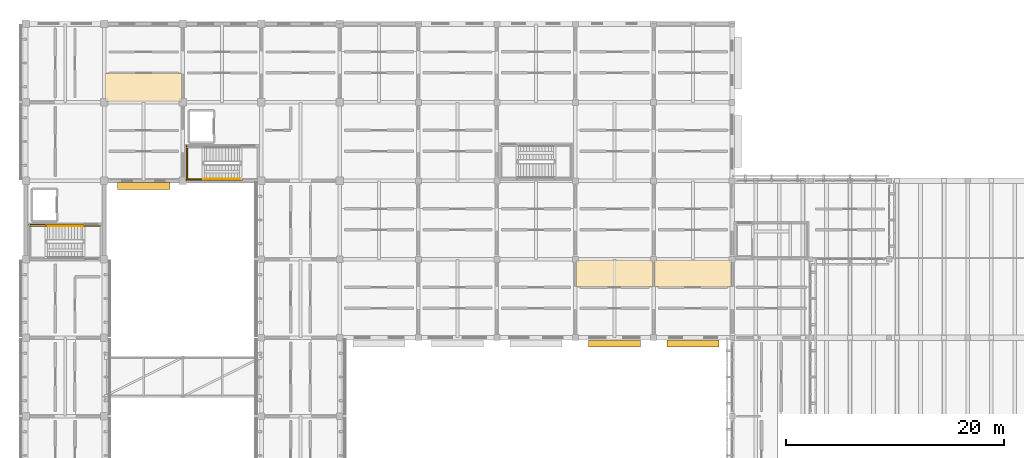
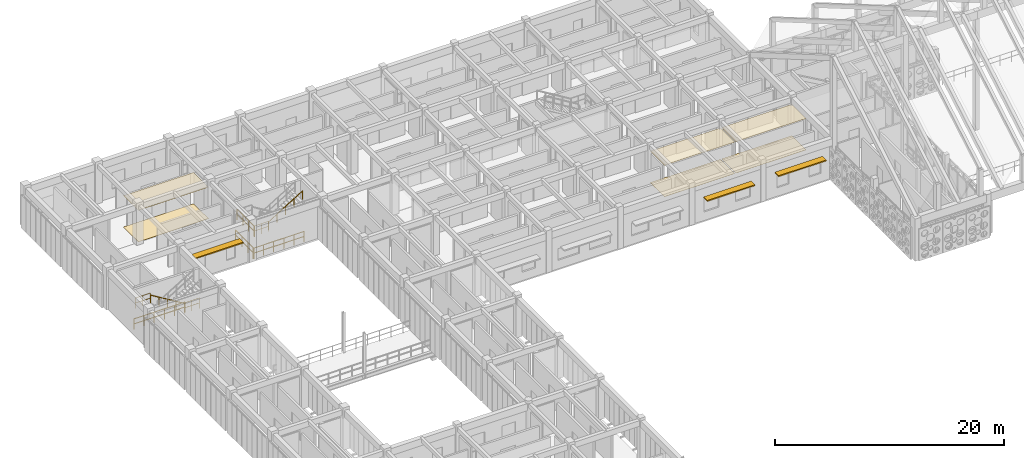
# One storey, part 150 of 171: 9 railings, 6 coverings, 3 shading devices.
"""IFC4 building model written with IfcOpenShell, lengths in metres."""

import ifcopenshell
import ifcopenshell.guid

model = None  # the IFC model being written
_history = None  # IfcOwnerHistory: only IFC2X3 demands one
_inside = {}  # id of a spatial element -> (the spatial element, [elements in it])
_under = {}  # id of a project, library or spatial element -> (it, [spatial elements below it])
_declared = {}  # id of a project -> (the project, [libraries it declares])
_typed = {}  # id of a type object -> (the type object, [elements of that type])
_made_of = {}  # id of a material, layer set ... -> (it, [elements and type objects made of it])


def new_model(schema):
    """Start an empty IFC model of exactly this schema.

    Asked for "IFC4X3", IfcOpenShell would pick the latest addendum, in which some entities
    have other attributes; the version numbers below select the first issue.
    IFC2X3 requires an IfcOwnerHistory on every rooted entity: one is made here for all.
    """
    global model, _history
    if schema == "IFC4X3":
        model = ifcopenshell.file(schema_version=(4, 3, 0, 0))
    else:
        model = ifcopenshell.file(schema=schema)
    _inside.clear()
    _under.clear()
    _declared.clear()
    _typed.clear()
    _made_of.clear()
    _history = None
    if model.schema == "IFC2X3":
        org = make("IfcOrganization", Name="unknown")
        user = make(
            "IfcPersonAndOrganization",
            ThePerson=make("IfcPerson", FamilyName="unknown"),
            TheOrganization=org,
        )
        app = make(
            "IfcApplication",
            ApplicationDeveloper=org,
            Version="unknown",
            ApplicationFullName="unknown",
            ApplicationIdentifier="unknown",
        )
        _history = make(
            "IfcOwnerHistory",
            OwningUser=user,
            OwningApplication=app,
            ChangeAction="ADDED",
            CreationDate=0,
        )
    return model


def make(cls, **values):
    """One entity of the class cls with the attributes given. An attribute that is None is left unset."""
    return model.create_entity(
        cls, **{name: value for name, value in values.items() if value is not None}
    )


def rooted(cls, **values):
    """An entity with a GlobalId (a new one), such as an element, a storey or a relation."""
    return make(cls, GlobalId=ifcopenshell.guid.new(), OwnerHistory=_history, **values)


def si_unit(unit_type, name, prefix=None):
    """IfcSIUnit, for example si_unit("LENGTHUNIT", "METRE", prefix="MILLI")."""
    return make("IfcSIUnit", UnitType=unit_type, Prefix=prefix, Name=name)


def assignment(units):
    """IfcUnitAssignment: the units of a project."""
    return None if units is None else make("IfcUnitAssignment", Units=units)


def point(xyz):
    """IfcCartesianPoint."""
    return None if xyz is None else make("IfcCartesianPoint", Coordinates=xyz)


def direction(xyz):
    """IfcDirection."""
    return None if xyz is None else make("IfcDirection", DirectionRatios=xyz)


def frame(location, z_axis=None, x_axis=None):
    """IfcAxis2Placement3D, a coordinate frame: its origin and axes. An axis left out is left unset."""
    return make(
        "IfcAxis2Placement3D",
        Location=point(location),
        Axis=direction(z_axis),
        RefDirection=direction(x_axis),
    )


def frame_2d(location, x_axis=None):
    """IfcAxis2Placement2D, a coordinate frame in the plane: its origin and x axis."""
    return make(
        "IfcAxis2Placement2D", Location=point(location), RefDirection=direction(x_axis)
    )


def origin():
    """The frame at (0, 0, 0) with its axes left unset."""
    return frame((0.0, 0.0, 0.0))


def origin_2d():
    """The frame at (0, 0) in the plane with its x axis left unset."""
    return frame_2d((0.0, 0.0))


def place(relative_to, where):
    """IfcLocalPlacement: puts the frame where relative to a parent placement (None: the world)."""
    return make(
        "IfcLocalPlacement", PlacementRelTo=relative_to, RelativePlacement=where
    )


def context(
    kind, dimensions, precision=None, world=None, true_north=None, identifier=None
):
    """IfcGeometricRepresentationContext, for example the 3D "Model" context."""
    return make(
        "IfcGeometricRepresentationContext",
        ContextIdentifier=identifier,
        ContextType=kind,
        CoordinateSpaceDimension=dimensions,
        Precision=precision,
        WorldCoordinateSystem=world,
        TrueNorth=true_north,
    )


def subcontext(parent, identifier, kind, view, scale=None):
    """IfcGeometricRepresentationSubContext, for example "Body" below "Model"."""
    return make(
        "IfcGeometricRepresentationSubContext",
        ContextIdentifier=identifier,
        ContextType=kind,
        ParentContext=parent,
        TargetScale=scale,
        TargetView=view,
    )


def project(units=None, contexts=None):
    """IfcProject with its units and contexts."""
    return rooted(
        "IfcProject",
        Name="project",
        RepresentationContexts=contexts,
        UnitsInContext=assignment(units),
    )


def spatial(cls, under=None, at=None, **own):
    """A site, building, storey or space (cls), placed at a placement, below another one or the project."""
    s = rooted(cls, ObjectPlacement=at, **own)
    if under is not None:
        _under.setdefault(under.id(), (under, []))[1].append(s)
    return s


def polyline(points):
    """IfcPolyline through the points."""
    return make("IfcPolyline", Points=[point(p) for p in points])


def profile(cls, at=None, kind="AREA", **sizes):
    """A parametric profile (cls). Its sizes go by their IFC names, for example OverallWidth=200.0."""
    return make(cls, ProfileType=kind, Position=at, **sizes)


def rectangle(**sizes):
    """IfcRectangleProfileDef."""
    return profile("IfcRectangleProfileDef", **sizes)


def circle(**sizes):
    """IfcCircleProfileDef."""
    return profile("IfcCircleProfileDef", **sizes)


def outline(outer, holes=None, kind="AREA"):
    """IfcArbitraryClosedProfileDef: a profile drawn as a closed curve; with holes, ...WithVoids."""
    if holes is None:
        return make("IfcArbitraryClosedProfileDef", ProfileType=kind, OuterCurve=outer)
    return make(
        "IfcArbitraryProfileDefWithVoids",
        ProfileType=kind,
        OuterCurve=outer,
        InnerCurves=holes,
    )


def extrude(swept, where, along, depth):
    """IfcExtrudedAreaSolid: the profile swept, set in the frame where, extruded along a direction by depth."""
    return make(
        "IfcExtrudedAreaSolid",
        SweptArea=swept,
        Position=where,
        ExtrudedDirection=direction(along),
        Depth=depth,
    )


def shape(context_of_items, identifier, shape_type, items):
    """IfcShapeRepresentation: the items that make up one representation, for example the "Body"."""
    return make(
        "IfcShapeRepresentation",
        ContextOfItems=context_of_items,
        RepresentationIdentifier=identifier,
        RepresentationType=shape_type,
        Items=items,
    )


def material(Name=None, Category=None):
    """IfcMaterial."""
    return make("IfcMaterial", Name=Name, Category=Category)


def layer(
    of_material, thickness, ventilated=None, Name=None, Category=None, Priority=None
):
    """IfcMaterialLayer: one layer of a wall or slab, of a material (None: an air gap)."""
    return make(
        "IfcMaterialLayer",
        Material=of_material,
        LayerThickness=thickness,
        IsVentilated=ventilated,
        Name=Name,
        Category=Category,
        Priority=Priority,
    )


def layer_set(layers, Name=None):
    """IfcMaterialLayerSet."""
    return make("IfcMaterialLayerSet", MaterialLayers=layers, LayerSetName=Name)


def made_of(thing, what):
    """Note that an element or type object is made of a material, layer set ...; save() writes the relation."""
    if what is not None:
        _made_of.setdefault(what.id(), (what, []))[1].append(thing)
    return thing


def type_object(cls, material=None, **own):
    """A type object (cls), such as IfcWallType, which elements share."""
    return made_of(rooted(cls, **own), material)


def element(
    cls,
    number,
    at=None,
    inside=None,
    cuts=None,
    type_object=None,
    material=None,
    context=None,
    identifier="Body",
    shape_type=None,
    held_by="IfcProductDefinitionShape",
    body=None,
    shapes=None,
    **own,
):
    """One element of the class cls, such as IfcWall. Its Tag is "e" and its number.

    at: its placement. inside: the storey or other place that contains it. cuts: it is an
    opening in that element (IfcRelVoidsElement). A single representation is given by context,
    identifier, shape_type and body (its items); several are given by shapes. held_by: the class
    of the entity that holds the representations. save() writes the other relations.
    """
    e = rooted(cls, Tag="e%d" % number, ObjectPlacement=at, **own)
    if body is not None:
        shapes = [shape(context, identifier, shape_type, body)]
    if shapes is not None:
        e.Representation = make(held_by, Representations=shapes)
    if inside is not None:
        _inside.setdefault(inside.id(), (inside, []))[1].append(e)
    if cuts is not None:
        rooted(
            "IfcRelVoidsElement", RelatingBuildingElement=cuts, RelatedOpeningElement=e
        )
    if type_object is not None:
        _typed.setdefault(type_object.id(), (type_object, []))[1].append(e)
    return made_of(e, material)


def aggregate(whole, parts):
    """IfcRelAggregates: a whole, such as a stair, and the parts it consists of."""
    return rooted("IfcRelAggregates", RelatingObject=whole, RelatedObjects=parts)


def save(model, path):
    """Write the relations noted so far, then the file.

    IfcRelAggregates (storeys below a building ...), IfcRelContainedInSpatialStructure (elements
    in a storey), IfcRelDefinesByType, IfcRelAssociatesMaterial and IfcRelDeclares: one each for
    every whole, place, type object, material and project.
    """
    for whole, parts in _under.values():
        aggregate(whole, parts)
    for where, things in _inside.values():
        rooted(
            "IfcRelContainedInSpatialStructure",
            RelatedElements=things,
            RelatingStructure=where,
        )
    for kind, things in _typed.values():
        rooted("IfcRelDefinesByType", RelatedObjects=things, RelatingType=kind)
    for what, things in _made_of.values():
        rooted("IfcRelAssociatesMaterial", RelatedObjects=things, RelatingMaterial=what)
    for by, libraries in _declared.values():
        rooted("IfcRelDeclares", RelatingContext=by, RelatedDefinitions=libraries)
    model.write(path)


model = new_model("IFC4")

# Units and contexts
model_context = context("Model", 3, precision=1e-05, world=origin(), true_north=direction((0.0, 1.0)))
body_context = subcontext(model_context, "Body", "Model", "MODEL_VIEW")
ifc_project = project(units=[si_unit("LENGTHUNIT", "METRE"), si_unit("AREAUNIT", "SQUARE_METRE"), si_unit("VOLUMEUNIT", "CUBIC_METRE"), si_unit("PLANEANGLEUNIT", "RADIAN"), si_unit("MASSUNIT", "GRAM", prefix="KILO")], contexts=[model_context])

# Site, building, storey
site_placement = place(None, origin())
site = spatial("IfcSite", under=ifc_project, at=site_placement, CompositionType="ELEMENT")
building_placement = place(site_placement, origin())
building = spatial("IfcBuilding", under=site, at=building_placement, Name="Aldebral Square Health Centre", CompositionType="ELEMENT")
storey_placement = place(building_placement, frame((0.0, 0.0, 4.5)))
storey = spatial("IfcBuildingStorey", under=building, at=storey_placement, Name="L01", CompositionType="ELEMENT", Elevation=4.5)

# Coverings
ifc_material_1 = material(Name="Hygienic acoustic mineral ceiling tile")
ifc_layer_1 = layer(ifc_material_1, 0.02001953125, Name="Hygienic acoustic mineral ceiling tile")
ifc_layer_set_1 = layer_set([ifc_layer_1], Name="Hygienic acoustic mineral ceiling tile")
covering_type_1 = type_object("IfcCoveringType", Name="COV-CLG-AC", PredefinedType="CEILING", material=ifc_layer_set_1)
covering_1_placement = place(storey_placement, frame((0.0, 0.0, 3.340087890625)))
element("IfcCovering", 1, at=covering_1_placement, inside=storey, type_object=covering_type_1, Name="L01 Imaging Equipment Plant Room 8.13N acoustic ceiling", PredefinedType="CEILING", context=body_context, shape_type="SweptSolid", body=[
    extrude(outline(polyline([(50.4599609375, 91.0400390625), (57.5400390625, 91.0400390625), (57.5400390625, 93.5400390625), (50.4599609375, 93.5400390625), (50.4599609375, 91.0400390625)])), origin(), (0.0, 0.0, 1.0), 0.02001953125),
])
covering_2_placement = place(storey_placement, frame((0.0, 0.0, 3.340087890625)))
element("IfcCovering", 2, at=covering_2_placement, inside=storey, type_object=covering_type_1, Name="L01 Imaging Equipment Plant Room 9.13N acoustic ceiling", PredefinedType="CEILING", context=body_context, shape_type="SweptSolid", body=[
    extrude(outline(polyline([(57.659912109375, 91.0400390625), (64.739990234375, 91.0400390625), (64.739990234375, 93.5400390625), (57.659912109375, 93.5400390625), (57.659912109375, 91.0400390625)])), origin(), (0.0, 0.0, 1.0), 0.02001953125),
])
covering_3_placement = place(storey_placement, frame((0.0, 0.0, 3.340087890625)))
element("IfcCovering", 3, at=covering_3_placement, inside=storey, type_object=covering_type_1, Name="L01 General Consulting Room 2.16S acoustic ceiling", PredefinedType="CEILING", context=body_context, shape_type="SweptSolid", body=[
    extrude(outline(polyline([(7.260009765625, 108.06005859375), (14.340087890625, 108.06005859375), (14.340087890625, 110.679931640625), (7.260009765625, 110.679931640625), (7.260009765625, 108.06005859375)])), origin(), (0.0, 0.0, 1.0), 0.02001953125),
])
ifc_material_2 = material(Name="Antimicrobial clinical vinyl flooring")
ifc_layer_2 = layer(ifc_material_2, 0.014892578125, Name="Antimicrobial clinical vinyl flooring")
ifc_layer_set_2 = layer_set([ifc_layer_2], Name="Antimicrobial clinical vinyl flooring")
covering_type_2 = type_object("IfcCoveringType", Name="COV-FLR-VN", PredefinedType="FLOORING", material=ifc_layer_set_2)
covering_4_placement = place(storey_placement, origin())
element("IfcCovering", 4, at=covering_4_placement, inside=storey, type_object=covering_type_2, Name="L01 Imaging Equipment Plant Room 8.13N clinical flooring", PredefinedType="FLOORING", context=body_context, shape_type="SweptSolid", body=[
    extrude(outline(polyline([(50.4599609375, 91.0400390625), (57.5400390625, 91.0400390625), (57.5400390625, 93.5400390625), (50.4599609375, 93.5400390625), (50.4599609375, 91.0400390625)])), origin(), (0.0, 0.0, 1.0), 0.014892578125),
])
covering_5_placement = place(storey_placement, origin())
element("IfcCovering", 5, at=covering_5_placement, inside=storey, type_object=covering_type_2, Name="L01 Imaging Equipment Plant Room 9.13N clinical flooring", PredefinedType="FLOORING", context=body_context, shape_type="SweptSolid", body=[
    extrude(outline(polyline([(57.659912109375, 91.0400390625), (64.739990234375, 91.0400390625), (64.739990234375, 93.5400390625), (57.659912109375, 93.5400390625), (57.659912109375, 91.0400390625)])), origin(), (0.0, 0.0, 1.0), 0.014892578125),
])
covering_6_placement = place(storey_placement, origin())
element("IfcCovering", 6, at=covering_6_placement, inside=storey, type_object=covering_type_2, Name="L01 General Consulting Room 2.16S clinical flooring", PredefinedType="FLOORING", context=body_context, shape_type="SweptSolid", body=[
    extrude(outline(polyline([(7.260009765625, 108.06005859375), (14.340087890625, 108.06005859375), (14.340087890625, 110.679931640625), (7.260009765625, 110.679931640625), (7.260009765625, 108.06005859375)])), origin(), (0.0, 0.0, 1.0), 0.014892578125),
])

# Railings
ifc_material_3 = material(Name="Painted steel S355JR stair guard", Category="steel")
railing_type_1 = type_object("IfcRailingType", Name="RL-ST-GRD", PredefinedType="GUARDRAIL", material=ifc_material_3)
railing_1_placement = place(storey_placement, frame((1.89990234375, 96.669921875, 2.25)))
element("IfcRailing", 7, at=railing_1_placement, inside=storey, type_object=railing_type_1, Name="L01 ST-01 stair guard 3", PredefinedType="GUARDRAIL", context=body_context, shape_type="SweptSolid", body=[
    extrude(circle(Radius=0.02392578125, at=origin_2d()), frame((0.0, 0.0, 1.09619140625), z_axis=(-1.0, 0.0, 0.0), x_axis=(0.0, -1.0, 0.0)), (0.0, 0.0, 1.0), 1.52001953125),
    extrude(circle(Radius=0.02392578125, at=origin_2d()), frame((0.0, 0.0, 0.56005859375), z_axis=(-1.0, 0.0, 0.0), x_axis=(0.0, -1.0, 0.0)), (0.0, 0.0, 1.0), 1.52001953125),
    extrude(circle(Radius=0.02099609375, at=origin_2d()), origin(), (0.0, 0.0, 1.0), 1.072021484375),
    extrude(circle(Radius=0.02099609375, at=origin_2d()), frame((-0.760009765625, 0.0, 0.0)), (0.0, 0.0, 1.0), 1.072021484375),
    extrude(circle(Radius=0.02099609375, at=origin_2d()), frame((-1.52001953125, 0.0, 0.0)), (0.0, 0.0, 1.0), 1.072021484375),
])
railing_2_placement = place(storey_placement, frame((6.820068359375, 96.669921875, 0.0)))
element("IfcRailing", 8, at=railing_2_placement, inside=storey, type_object=railing_type_1, Name="L01 ST-01 stair guard 8", PredefinedType="GUARDRAIL", context=body_context, shape_type="SweptSolid", body=[
    extrude(circle(Radius=0.02392578125, at=origin_2d()), frame((0.0, 0.0, 1.09619140625), z_axis=(-1.0, 0.0, 0.0), x_axis=(0.0, -1.0, 0.0)), (0.0, 0.0, 1.0), 1.5),
    extrude(circle(Radius=0.02392578125, at=origin_2d()), frame((0.0, 0.0, 0.56005859375), z_axis=(-1.0, 0.0, 0.0), x_axis=(0.0, -1.0, 0.0)), (0.0, 0.0, 1.0), 1.5),
    extrude(circle(Radius=0.02099609375, at=origin_2d()), origin(), (0.0, 0.0, 1.0), 1.072021484375),
    extrude(circle(Radius=0.02099609375, at=origin_2d()), frame((-0.75, 0.0, 0.0)), (0.0, 0.0, 1.0), 1.072021484375),
    extrude(circle(Radius=0.02099609375, at=origin_2d()), frame((-1.5, 0.0, 0.0)), (0.0, 0.0, 1.0), 1.072021484375),
])
railing_3_placement = place(storey_placement, frame((5.419921875, 96.77001953125, 0.0)))
element("IfcRailing", 9, at=railing_3_placement, inside=storey, type_object=railing_type_1, Name="L01 ST-01 stair guard 10", PredefinedType="GUARDRAIL", context=body_context, shape_type="SweptSolid", body=[
    extrude(circle(Radius=0.02392578125, at=origin_2d()), frame((0.0, 0.0, 1.09619140625), z_axis=(-1.0, 0.0, 0.0), x_axis=(0.0, -1.0, 0.0)), (0.0, 0.0, 1.0), 5.139892578125),
    extrude(circle(Radius=0.02392578125, at=origin_2d()), frame((0.0, 0.0, 0.56005859375), z_axis=(-1.0, 0.0, 0.0), x_axis=(0.0, -1.0, 0.0)), (0.0, 0.0, 1.0), 5.139892578125),
    extrude(circle(Radius=0.02099609375, at=origin_2d()), origin(), (0.0, 0.0, 1.0), 1.072021484375),
    extrude(circle(Radius=0.02099609375, at=origin_2d()), frame((-1.028076171875, 0.0, 0.0)), (0.0, 0.0, 1.0), 1.072021484375),
    extrude(circle(Radius=0.02099609375, at=origin_2d()), frame((-2.055908203125, 0.0, 0.0)), (0.0, 0.0, 1.0), 1.072021484375),
    extrude(circle(Radius=0.02099609375, at=origin_2d()), frame((-3.083984375, 0.0, 0.0)), (0.0, 0.0, 1.0), 1.072021484375),
    extrude(circle(Radius=0.02099609375, at=origin_2d()), frame((-4.11181640625, 0.0, 0.0)), (0.0, 0.0, 1.0), 1.072021484375),
    extrude(circle(Radius=0.02099609375, at=origin_2d()), frame((-5.139892578125, 0.0, 0.0)), (0.0, 0.0, 1.0), 1.072021484375),
])
railing_4_placement = place(storey_placement, frame((16.300048828125, 100.969970703125, 2.25)))
element("IfcRailing", 10, at=railing_4_placement, inside=storey, type_object=railing_type_1, Name="L01 ST-02 stair guard 4", PredefinedType="GUARDRAIL", context=body_context, shape_type="SweptSolid", body=[
    extrude(circle(Radius=0.02392578125, at=origin_2d()), frame((0.0, 0.0, 1.09619140625), z_axis=(-1.0, 0.0, 0.0), x_axis=(0.0, -1.0, 0.0)), (0.0, 0.0, 1.0), 1.52001953125),
    extrude(circle(Radius=0.02392578125, at=origin_2d()), frame((0.0, 0.0, 0.56005859375), z_axis=(-1.0, 0.0, 0.0), x_axis=(0.0, -1.0, 0.0)), (0.0, 0.0, 1.0), 1.52001953125),
    extrude(circle(Radius=0.02099609375, at=origin_2d()), origin(), (0.0, 0.0, 1.0), 1.072021484375),
    extrude(circle(Radius=0.02099609375, at=origin_2d()), frame((-0.760009765625, 0.0, 0.0)), (0.0, 0.0, 1.0), 1.072021484375),
    extrude(circle(Radius=0.02099609375, at=origin_2d()), frame((-1.52001953125, 0.0, 0.0)), (0.0, 0.0, 1.0), 1.072021484375),
])
railing_5_placement = place(storey_placement, frame((14.830078125, 103.919921875, 2.25)))
element("IfcRailing", 11, at=railing_5_placement, inside=storey, type_object=railing_type_1, Name="L01 ST-02 stair guard 5", PredefinedType="GUARDRAIL", context=body_context, shape_type="SweptSolid", body=[
    extrude(circle(Radius=0.02392578125, at=origin_2d()), frame((0.0, 0.0, 1.09619140625), z_axis=(0.0, -1.0, 0.0), x_axis=(1.0, 0.0, 0.0)), (0.0, 0.0, 1.0), 3.0),
    extrude(circle(Radius=0.02392578125, at=origin_2d()), frame((0.0, 0.0, 0.56005859375), z_axis=(0.0, -1.0, 0.0), x_axis=(1.0, 0.0, 0.0)), (0.0, 0.0, 1.0), 3.0),
    extrude(circle(Radius=0.02099609375, at=origin_2d()), origin(), (0.0, 0.0, 1.0), 1.072021484375),
    extrude(circle(Radius=0.02099609375, at=origin_2d()), frame((0.0, -1.0, 0.0)), (0.0, 0.0, 1.0), 1.072021484375),
    extrude(circle(Radius=0.02099609375, at=origin_2d()), frame((0.0, -2.0, 0.0)), (0.0, 0.0, 1.0), 1.072021484375),
    extrude(circle(Radius=0.02099609375, at=origin_2d()), frame((0.0, -3.0, 0.0)), (0.0, 0.0, 1.0), 1.072021484375),
])
railing_6_placement = place(storey_placement, frame((19.820068359375, 100.8701171875, 0.0)))
element("IfcRailing", 12, at=railing_6_placement, inside=storey, type_object=railing_type_1, Name="L01 ST-02 stair guard 11", PredefinedType="GUARDRAIL", context=body_context, shape_type="SweptSolid", body=[
    extrude(circle(Radius=0.02392578125, at=origin_2d()), frame((0.0, 0.0, 1.09619140625), z_axis=(-1.0, 0.0, 0.0), x_axis=(0.0, -1.0, 0.0)), (0.0, 0.0, 1.0), 5.14013671875),
    extrude(circle(Radius=0.02392578125, at=origin_2d()), frame((0.0, 0.0, 0.56005859375), z_axis=(-1.0, 0.0, 0.0), x_axis=(0.0, -1.0, 0.0)), (0.0, 0.0, 1.0), 5.14013671875),
    extrude(circle(Radius=0.02099609375, at=origin_2d()), origin(), (0.0, 0.0, 1.0), 1.072021484375),
    extrude(circle(Radius=0.02099609375, at=origin_2d()), frame((-1.028076171875, 0.0, 0.0)), (0.0, 0.0, 1.0), 1.072021484375),
    extrude(circle(Radius=0.02099609375, at=origin_2d()), frame((-2.05615234375, 0.0, 0.0)), (0.0, 0.0, 1.0), 1.072021484375),
    extrude(circle(Radius=0.02099609375, at=origin_2d()), frame((-3.083984375, 0.0, 0.0)), (0.0, 0.0, 1.0), 1.072021484375),
    extrude(circle(Radius=0.02099609375, at=origin_2d()), frame((-4.112060546875, 0.0, 0.0)), (0.0, 0.0, 1.0), 1.072021484375),
    extrude(circle(Radius=0.02099609375, at=origin_2d()), frame((-5.14013671875, 0.0, 0.0)), (0.0, 0.0, 1.0), 1.072021484375),
])
railing_7_placement = place(storey_placement, frame((14.72998046875, 104.02001953125, 0.0)))
element("IfcRailing", 13, at=railing_7_placement, inside=storey, type_object=railing_type_1, Name="L01 ST-02 stair guard 12", PredefinedType="GUARDRAIL", context=body_context, shape_type="SweptSolid", body=[
    extrude(circle(Radius=0.02392578125, at=origin_2d()), frame((0.0, 0.0, 1.09619140625), z_axis=(0.0, -1.0, 0.0), x_axis=(1.0, 0.0, 0.0)), (0.0, 0.0, 1.0), 3.199951171875),
    extrude(circle(Radius=0.02392578125, at=origin_2d()), frame((0.0, 0.0, 0.56005859375), z_axis=(0.0, -1.0, 0.0), x_axis=(1.0, 0.0, 0.0)), (0.0, 0.0, 1.0), 3.199951171875),
    extrude(circle(Radius=0.02099609375, at=origin_2d()), origin(), (0.0, 0.0, 1.0), 1.072021484375),
    extrude(circle(Radius=0.02099609375, at=origin_2d()), frame((0.0, -1.066650390625, 0.0)), (0.0, 0.0, 1.0), 1.072021484375),
    extrude(circle(Radius=0.02099609375, at=origin_2d()), frame((0.0, -2.13330078125, 0.0)), (0.0, 0.0, 1.0), 1.072021484375),
    extrude(circle(Radius=0.02099609375, at=origin_2d()), frame((0.0, -3.199951171875, 0.0)), (0.0, 0.0, 1.0), 1.072021484375),
])
ifc_material_4 = material(Name="Brushed stainless steel handrail", Category="steel")
railing_type_2 = type_object("IfcRailingType", Name="RL-ST-HND", PredefinedType="HANDRAIL", material=ifc_material_4)
railing_8_placement = place(storey_placement, frame((5.320068359375, 96.669921875, 0.173095703125)))
element("IfcRailing", 14, at=railing_8_placement, inside=storey, type_object=railing_type_2, Name="L01 ST-01 stair handrail 1", PredefinedType="HANDRAIL", context=body_context, shape_type="SweptSolid", body=[
    extrude(circle(Radius=0.02392578125, at=origin_2d()), frame((0.0, 0.0, 0.8759765625), z_axis=(-0.854745945586, 0.0, 0.519046595696), x_axis=(0.0, -1.0, 0.0)), (0.0, 0.0, 1.0), 4.00146484375),
    extrude(circle(Radius=0.02099609375, at=origin_2d()), origin(), (0.0, 0.0, 1.0), 0.851806640625),
    extrude(circle(Radius=0.02099609375, at=origin_2d()), frame((-0.85498046875, 0.0, 0.519287109375)), (0.0, 0.0, 1.0), 0.851806640625),
    extrude(circle(Radius=0.02099609375, at=origin_2d()), frame((-1.7099609375, 0.0, 1.03857421875)), (0.0, 0.0, 1.0), 0.851806640625),
    extrude(circle(Radius=0.02099609375, at=origin_2d()), frame((-2.565185546875, 0.0, 1.5576171875)), (0.0, 0.0, 1.0), 0.851806640625),
    extrude(circle(Radius=0.02099609375, at=origin_2d()), frame((-3.420166015625, 0.0, 2.076904296875)), (0.0, 0.0, 1.0), 0.851806640625),
])
railing_9_placement = place(storey_placement, frame((16.300048828125, 100.969970703125, 2.423095703125)))
element("IfcRailing", 15, at=railing_9_placement, inside=storey, type_object=railing_type_2, Name="L01 ST-02 stair handrail 2", PredefinedType="HANDRAIL", context=body_context, shape_type="SweptSolid", body=[
    extrude(circle(Radius=0.02392578125, at=origin_2d()), frame((0.0, 0.0, 0.8759765625), z_axis=(0.854729506542, 0.0, 0.519073665916), x_axis=(0.0, 1.0, 0.0)), (0.0, 0.0, 1.0), 4.001220703125),
    extrude(circle(Radius=0.02099609375, at=origin_2d()), origin(), (0.0, 0.0, 1.0), 0.851806640625),
    extrude(circle(Radius=0.02099609375, at=origin_2d()), frame((0.85498046875, 0.0, 0.519287109375)), (0.0, 0.0, 1.0), 0.851806640625),
    extrude(circle(Radius=0.02099609375, at=origin_2d()), frame((1.7099609375, 0.0, 1.03857421875)), (0.0, 0.0, 1.0), 0.851806640625),
    extrude(circle(Radius=0.02099609375, at=origin_2d()), frame((2.56494140625, 0.0, 1.5576171875)), (0.0, 0.0, 1.0), 0.851806640625),
    extrude(circle(Radius=0.02099609375, at=origin_2d()), frame((3.419921875, 0.0, 2.076904296875)), (0.0, 0.0, 1.0), 0.851806640625),
])

# Shading devices
ifc_material_5 = material(Name="Sienna-terracotta solar hood", Category="masonry")
shading_device_type = type_object("IfcShadingDeviceType", Name="SHD-LVR-1", PredefinedType="JALOUSIE", material=ifc_material_5)
for number, where, z_axis, x_axis, name in (
    (16, (10.800048828125, 100.3349609375, 2.669921875), (0.0, 0.0, 1.0), (1.0, 0.0, 0.0), "L01 solar hood L01-V4-01-14-S"),
    (17, (54.0, 85.885009765625, 2.419921875), (0.0, 0.0, 1.0), (1.0, 0.0, 0.0), "L01 solar hood L01-V2-07-12-S"),
    (18, (61.199951171875, 85.885009765625, 2.5400390625), (0.0, 0.0, 1.0), (1.0, 0.0, 0.0), "L01 solar hood L01-V2-08-12-S"),
):
    element("IfcShadingDevice", number, at=place(storey_placement, frame(where, z_axis=z_axis, x_axis=x_axis)), inside=storey, type_object=shading_device_type, Name=name, PredefinedType="JALOUSIE", context=body_context, shape_type="SweptSolid", body=[
        extrude(rectangle(XDim=4.800048828125, YDim=0.64990234375, at=origin_2d()), origin(), (0.0, 0.0, 1.0), 0.1201171875),
    ])

save(model, "model.ifc")
